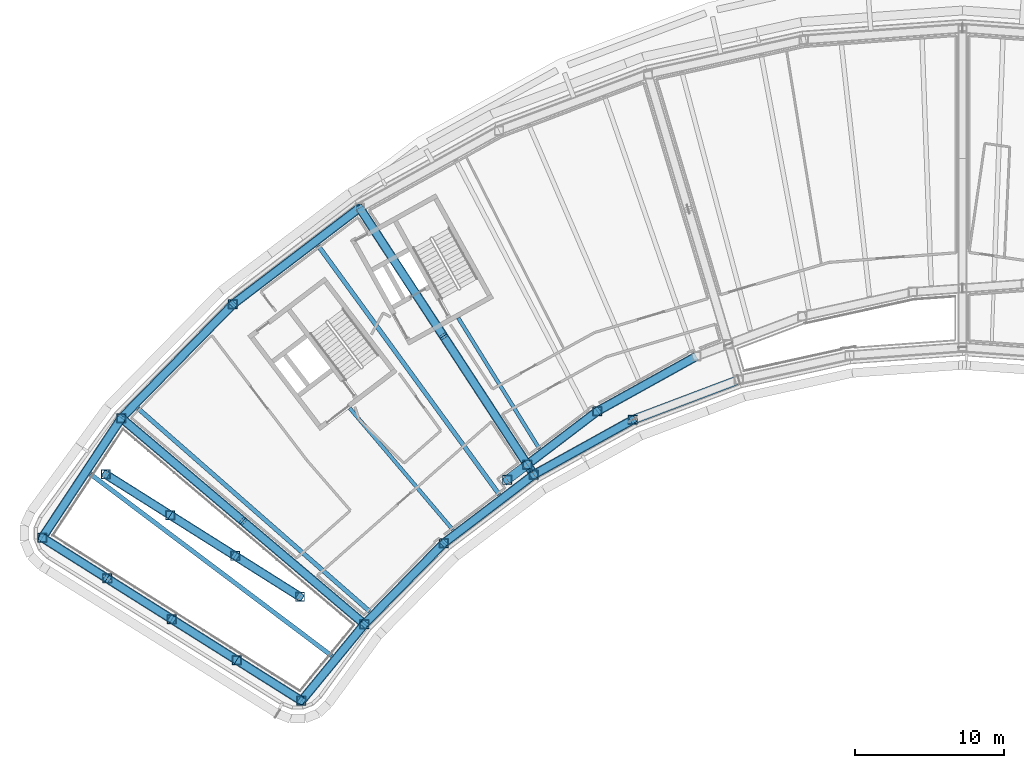
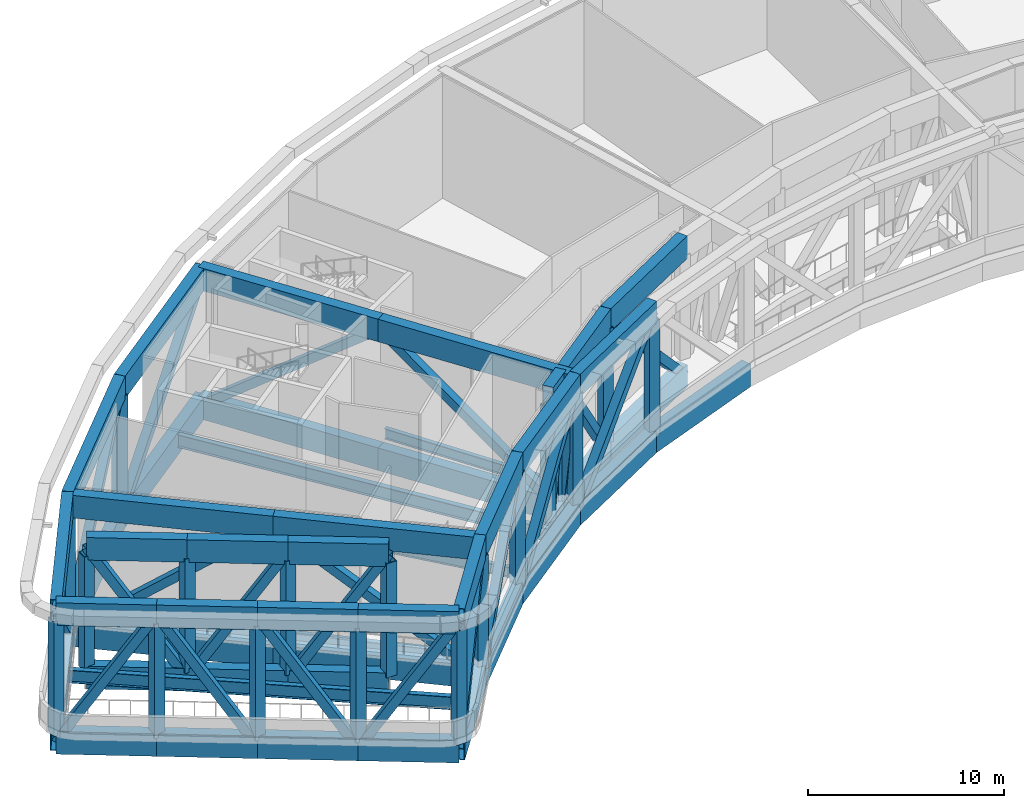
# One storey, part 1 of 24: 48 beams, 40 members.
"""IFC4 building model written with IfcOpenShell, lengths in metres."""

from ifc_helpers import new_model, si_unit, direction, frame, origin, origin_2d, place, context, subcontext, project, spatial, hollow_rectangle, i_section, extrude, material, material_profile, profile_set, type_object, element, save


model = new_model("IFC4")

# Units and contexts
model_context = context("Model", 3, precision=1e-05, world=origin(), true_north=direction((0.0, 1.0)))
body_context = subcontext(model_context, "Body", "Model", "MODEL_VIEW")
ifc_project = project(units=[si_unit("LENGTHUNIT", "METRE"), si_unit("AREAUNIT", "SQUARE_METRE"), si_unit("VOLUMEUNIT", "CUBIC_METRE"), si_unit("PLANEANGLEUNIT", "RADIAN"), si_unit("MASSUNIT", "GRAM", prefix="KILO")], contexts=[model_context])

# Site, building, storey
site_placement = place(None, origin())
site = spatial("IfcSite", under=ifc_project, at=site_placement, CompositionType="ELEMENT")
building_placement = place(site_placement, origin())
building = spatial("IfcBuilding", under=site, at=building_placement, Name="Tuul Gate Civic Tower", CompositionType="ELEMENT")
storey_placement = place(building_placement, frame((0.0, 0.0, 277.800048828125)))
storey = spatial("IfcBuildingStorey", under=building, at=storey_placement, Name="Wind floor 2", CompositionType="ELEMENT", Elevation=277.800048828125)

# Beams
ifc_material_1 = material(Name="Steel S355", Category="steel")
ifc_material_profile_1 = material_profile(ifc_material_1, i_section(OverallWidth=0.25, OverallDepth=0.64990234375, WebThickness=0.011962890625, FlangeThickness=0.02001953125, at=origin_2d()), Name="PG650x250x12x20")
ifc_profile_set_1 = profile_set([ifc_material_profile_1], Name="Steel S355")
beam_type_1 = type_object("IfcBeamType", Name="STR-FLOOR BEAM-PG650x250x12x20", PredefinedType="BEAM", material=ifc_profile_set_1)
beam_1_placement = place(storey_placement, frame((-21.568603515625, -18.93896484375, -0.72509765625), z_axis=(-0.527014457427, 0.849856318246, 0.0), x_axis=(-0.849856318246, -0.527014457427, 0.0)))
element("IfcBeam", 1, at=beam_1_placement, inside=storey, type_object=beam_type_1, Name="Floor beam", PredefinedType="BEAM", context=body_context, shape_type="SweptSolid", body=[
    extrude(i_section(OverallWidth=0.25, OverallDepth=0.64990234375, WebThickness=0.011962890625, FlangeThickness=0.02001953125, at=origin_2d()), origin(), (0.0, 0.0, 1.0), 10.32763671875),
])
beam_2_placement = place(storey_placement, frame((-27.3701171875, -24.367431640625, -0.72509765625), z_axis=(-0.646581842209, 0.76284462463, 0.0), x_axis=(-0.76284462463, -0.646581842209, 0.0)))
element("IfcBeam", 2, at=beam_2_placement, inside=storey, type_object=beam_type_1, Name="Floor beam", PredefinedType="BEAM", context=body_context, shape_type="SweptSolid", body=[
    extrude(i_section(OverallWidth=0.25, OverallDepth=0.64990234375, WebThickness=0.011962890625, FlangeThickness=0.02001953125, at=origin_2d()), origin(), (0.0, 0.0, 1.0), 10.690673828125),
])
ifc_material_2 = material(Name="Steel S355", Category="steel")
ifc_material_profile_2 = material_profile(ifc_material_2, i_section(OverallWidth=0.300048828125, OverallDepth=0.800048828125, WebThickness=0.013916015625, FlangeThickness=0.02490234375, at=origin_2d()), Name="PG800x300x14x25")
ifc_profile_set_2 = profile_set([ifc_material_profile_2], Name="Steel S355")
beam_type_2 = type_object("IfcBeamType", Name="STR-FLOOR BEAM-PG800x300x14x25", PredefinedType="BEAM", material=ifc_profile_set_2)
beam_3_placement = place(storey_placement, frame((-24.26123046875, -22.000732421875, -0.800048828125), z_axis=(-0.588409100511, 0.808563374409, 0.0), x_axis=(-0.808563374409, -0.588409100511, 0.0)))
element("IfcBeam", 3, at=beam_3_placement, inside=storey, type_object=beam_type_2, Name="Floor beam", PredefinedType="BEAM", context=body_context, shape_type="SweptSolid", body=[
    extrude(i_section(OverallWidth=0.300048828125, OverallDepth=0.800048828125, WebThickness=0.013916015625, FlangeThickness=0.02490234375, at=origin_2d()), origin(), (0.0, 0.0, 1.0), 20.604248046875),
])
beam_4_placement = place(storey_placement, frame((-32.94677734375, -29.83984375, -0.800048828125), z_axis=(-0.752023742184, 0.659136018734, 0.0), x_axis=(-0.659136018734, -0.752023742184, 0.0)))
element("IfcBeam", 4, at=beam_4_placement, inside=storey, type_object=beam_type_2, Name="Floor beam", PredefinedType="BEAM", context=body_context, shape_type="SweptSolid", body=[
    extrude(i_section(OverallWidth=0.300048828125, OverallDepth=0.800048828125, WebThickness=0.013916015625, FlangeThickness=0.02490234375, at=origin_2d()), origin(), (0.0, 0.0, 1.0), 20.632568359375),
])
beam_5_placement = place(storey_placement, frame((-35.488525390625, -32.816650390625, -0.800048828125), z_axis=(-0.79870368658, 0.601724539174, 0.0), x_axis=(-0.601724539174, -0.79870368658, 0.0)))
element("IfcBeam", 5, at=beam_5_placement, inside=storey, type_object=beam_type_2, Name="Floor beam", PredefinedType="BEAM", context=body_context, shape_type="SweptSolid", body=[
    extrude(i_section(OverallWidth=0.300048828125, OverallDepth=0.800048828125, WebThickness=0.013916015625, FlangeThickness=0.02490234375, at=origin_2d()), origin(), (0.0, 0.0, 1.0), 20.233642578125),
])
ifc_material_3 = material(Name="Steel S460", Category="steel")
ifc_material_profile_3 = material_profile(ifc_material_3, hollow_rectangle(XDim=0.60009765625, YDim=1.39990234375, WallThickness=0.031982421875, at=origin_2d()), Name="BOX1400x600x32")
ifc_profile_set_3 = profile_set([ifc_material_profile_3], Name="Steel S460")
beam_type_3 = type_object("IfcBeamType", Name="STR-TRANSFER TRUSS CHORD-BOX1400x600x32", PredefinedType="BEAM", material=ifc_profile_set_3)
for number, where, z_axis, x_axis, name in (
    (6, (-49.583984375, -16.884033203125, -1.10009765625), (0.76282315533, -0.64660717108, 0.0), (0.64660717108, 0.76282315533, 0.0), "Radial truss bottom chord"),
    (7, (-41.4384765625, -23.78857421875, -1.10009765625), (0.76282315533, -0.64660717108, 0.0), (0.64660717108, 0.76282315533, 0.0), "Radial truss bottom chord"),
    (8, (-49.583984375, -16.884033203125, 6.89990234375), (0.76282315533, -0.64660717108, 0.0), (0.64660717108, 0.76282315533, 0.0), "Radial truss top chord"),
    (9, (-41.4384765625, -23.78857421875, 6.89990234375), (0.76282315533, -0.64660717108, 0.0), (0.64660717108, 0.76282315533, 0.0), "Radial truss top chord"),
):
    element("IfcBeam", number, at=place(storey_placement, frame(where, z_axis=z_axis, x_axis=x_axis)), inside=storey, type_object=beam_type_3, Name=name, PredefinedType="BEAM", context=body_context, shape_type="SweptSolid", body=[
        extrude(hollow_rectangle(XDim=0.60009765625, YDim=1.39990234375, WallThickness=0.031982421875, at=origin_2d()), origin(), (0.0, 0.0, 1.0), 10.67822265625),
    ])
beam_6_placement = place(storey_placement, frame((-33.614013671875, -2.791015625, -1.10009765625), z_axis=(0.546751164853, -0.837295147324, 0.0), x_axis=(0.837295147324, 0.546751164853, 0.0)))
element("IfcBeam", 10, at=beam_6_placement, inside=storey, type_object=beam_type_3, Name="Radial truss bottom chord", PredefinedType="BEAM", context=body_context, shape_type="SweptSolid", body=[
    extrude(hollow_rectangle(XDim=0.60009765625, YDim=1.39990234375, WallThickness=0.031982421875, at=origin_2d()), origin(), (0.0, 0.0, 1.0), 10.274169921875),
])
beam_7_placement = place(storey_placement, frame((-27.99658203125, -11.3935546875, -1.10009765625), z_axis=(0.546733425415, -0.837306730855, 0.0), x_axis=(0.837306730855, 0.546733425415, 0.0)))
element("IfcBeam", 11, at=beam_7_placement, inside=storey, type_object=beam_type_3, Name="Radial truss bottom chord", PredefinedType="BEAM", context=body_context, shape_type="SweptSolid", body=[
    extrude(hollow_rectangle(XDim=0.60009765625, YDim=1.39990234375, WallThickness=0.031982421875, at=origin_2d()), origin(), (0.0, 0.0, 1.0), 11.08154296875),
])
beam_8_placement = place(storey_placement, frame((-33.614013671875, -2.791015625, 6.89990234375), z_axis=(0.546751164853, -0.837295147324, 0.0), x_axis=(0.837295147324, 0.546751164853, 0.0)))
element("IfcBeam", 12, at=beam_8_placement, inside=storey, type_object=beam_type_3, Name="Radial truss top chord", PredefinedType="BEAM", context=body_context, shape_type="SweptSolid", body=[
    extrude(hollow_rectangle(XDim=0.60009765625, YDim=1.39990234375, WallThickness=0.031982421875, at=origin_2d()), origin(), (0.0, 0.0, 1.0), 10.274169921875),
])
beam_9_placement = place(storey_placement, frame((-27.99658203125, -11.3935546875, 6.89990234375), z_axis=(0.546733425415, -0.837306730855, 0.0), x_axis=(0.837306730855, 0.546733425415, 0.0)))
element("IfcBeam", 13, at=beam_9_placement, inside=storey, type_object=beam_type_3, Name="Radial truss top chord", PredefinedType="BEAM", context=body_context, shape_type="SweptSolid", body=[
    extrude(hollow_rectangle(XDim=0.60009765625, YDim=1.39990234375, WallThickness=0.031982421875, at=origin_2d()), origin(), (0.0, 0.0, 1.0), 11.08154296875),
])
for number, where, z_axis, x_axis, name in (
    (14, (-42.10888671875, -9.259033203125, -1.10009765625), (-0.700052665808, -0.714091216229, 0.0), (0.714091216229, -0.700052665808, 0.0), "Belt truss bottom chord"),
    (15, (-42.10888671875, -9.259033203125, 6.89990234375), (-0.700052665808, -0.714091216229, 0.0), (0.714091216229, -0.700052665808, 0.0), "Belt truss top chord"),
):
    element("IfcBeam", number, at=place(storey_placement, frame(where, z_axis=z_axis, x_axis=x_axis)), inside=storey, type_object=beam_type_3, Name=name, PredefinedType="BEAM", context=body_context, shape_type="SweptSolid", body=[
        extrude(hollow_rectangle(XDim=0.60009765625, YDim=1.39990234375, WallThickness=0.031982421875, at=origin_2d()), origin(), (0.0, 0.0, 1.0), 10.677978515625),
    ])
for number, where, z_axis, x_axis, name in (
    (16, (-33.614013671875, -2.791015625, -1.10009765625), (-0.795624318965, -0.605790345806, 0.0), (0.605790345806, -0.795624318965, 0.0), "Belt truss bottom chord"),
    (17, (-33.614013671875, -2.791015625, 6.89990234375), (-0.795624318965, -0.605790345806, 0.0), (0.605790345806, -0.795624318965, 0.0), "Belt truss top chord"),
):
    element("IfcBeam", number, at=place(storey_placement, frame(where, z_axis=z_axis, x_axis=x_axis)), inside=storey, type_object=beam_type_3, Name=name, PredefinedType="BEAM", context=body_context, shape_type="SweptSolid", body=[
        extrude(hollow_rectangle(XDim=0.60009765625, YDim=1.39990234375, WallThickness=0.031982421875, at=origin_2d()), origin(), (0.0, 0.0, 1.0), 10.677001953125),
    ])
for number, where, z_axis, x_axis, name in (
    (18, (-49.583984375, -16.884033203125, -1.10009765625), (-0.551605665118, -0.834105023489, 0.0), (0.834105023489, -0.551605665118, 0.0), "Belt truss bottom chord"),
    (19, (-49.583984375, -16.884033203125, 6.89990234375), (-0.551605665118, -0.834105023489, 0.0), (0.834105023489, -0.551605665118, 0.0), "Belt truss top chord"),
):
    element("IfcBeam", number, at=place(storey_placement, frame(where, z_axis=z_axis, x_axis=x_axis)), inside=storey, type_object=beam_type_3, Name=name, PredefinedType="BEAM", context=body_context, shape_type="SweptSolid", body=[
        extrude(hollow_rectangle(XDim=0.60009765625, YDim=1.39990234375, WallThickness=0.031982421875, at=origin_2d()), origin(), (0.0, 0.0, 1.0), 9.606689453125),
    ])
for number, where, z_axis, x_axis, name in (
    (20, (-27.97900390625, -25.27099609375, -1.10009765625), (0.795673036057, 0.605726357105, 0.0), (-0.605726357105, 0.795673036057, 0.0), "Belt truss bottom chord"),
    (21, (-27.97900390625, -25.27099609375, 6.89990234375), (0.795673036057, 0.605726357105, 0.0), (-0.605726357105, 0.795673036057, 0.0), "Belt truss top chord"),
):
    element("IfcBeam", number, at=place(storey_placement, frame(where, z_axis=z_axis, x_axis=x_axis)), inside=storey, type_object=beam_type_3, Name=name, PredefinedType="BEAM", context=body_context, shape_type="SweptSolid", body=[
        extrude(hollow_rectangle(XDim=0.60009765625, YDim=1.39990234375, WallThickness=0.031982421875, at=origin_2d()), origin(), (0.0, 0.0, 1.0), 7.59228515625),
    ])
for number, where, z_axis, x_axis, name in (
    (22, (-17.696044921875, -16.429931640625, -1.10009765625), (0.874607402054, 0.484831818544, 0.0), (-0.484831818544, 0.874607402054, 0.0), "Belt truss bottom chord"),
    (23, (-17.696044921875, -16.429931640625, 6.89990234375), (0.874607402054, 0.484831818544, 0.0), (-0.484831818544, 0.874607402054, 0.0), "Belt truss top chord"),
    (24, (-33.29296875, -30.693115234375, -1.10009765625), (0.699947938495, 0.714193869615, 0.0), (-0.714193869615, 0.699947938495, 0.0), "Belt truss bottom chord"),
    (25, (-33.29296875, -30.693115234375, 6.89990234375), (0.699947938495, 0.714193869615, 0.0), (-0.714193869615, 0.699947938495, 0.0), "Belt truss top chord"),
):
    element("IfcBeam", number, at=place(storey_placement, frame(where, z_axis=z_axis, x_axis=x_axis)), inside=storey, type_object=beam_type_3, Name=name, PredefinedType="BEAM", context=body_context, shape_type="SweptSolid", body=[
        extrude(hollow_rectangle(XDim=0.60009765625, YDim=1.39990234375, WallThickness=0.031982421875, at=origin_2d()), origin(), (0.0, 0.0, 1.0), 7.592041015625),
    ])
beam_10_placement = place(storey_placement, frame((-23.736083984375, -21.029052734375, -1.10009765625), z_axis=(0.795619228642, 0.605797031203, 0.0), x_axis=(-0.605797031203, 0.795619228642, 0.0)))
element("IfcBeam", 26, at=beam_10_placement, inside=storey, type_object=beam_type_3, Name="Belt truss bottom chord", PredefinedType="BEAM", context=body_context, shape_type="SweptSolid", body=[
    extrude(hollow_rectangle(XDim=0.60009765625, YDim=1.39990234375, WallThickness=0.031982421875, at=origin_2d()), origin(), (0.0, 0.0, 1.0), 1.404541015625),
])
beam_11_placement = place(storey_placement, frame((-22.14013671875, -19.813720703125, -1.10009765625), z_axis=(0.79562031028, 0.60579561064, 0.0), x_axis=(-0.60579561064, 0.79562031028, 0.0)))
element("IfcBeam", 27, at=beam_11_placement, inside=storey, type_object=beam_type_3, Name="Belt truss bottom chord", PredefinedType="BEAM", context=body_context, shape_type="SweptSolid", body=[
    extrude(hollow_rectangle(XDim=0.60009765625, YDim=1.39990234375, WallThickness=0.031982421875, at=origin_2d()), origin(), (0.0, 0.0, 1.0), 5.585693359375),
])
beam_12_placement = place(storey_placement, frame((-23.736083984375, -21.029052734375, 6.89990234375), z_axis=(0.79563216478, 0.605780041242, 0.0), x_axis=(-0.605780041242, 0.79563216478, 0.0)))
element("IfcBeam", 28, at=beam_12_placement, inside=storey, type_object=beam_type_3, Name="Belt truss top chord", PredefinedType="BEAM", context=body_context, shape_type="SweptSolid", body=[
    extrude(hollow_rectangle(XDim=0.60009765625, YDim=1.39990234375, WallThickness=0.031982421875, at=origin_2d()), origin(), (0.0, 0.0, 1.0), 1.705078125),
])
beam_13_placement = place(storey_placement, frame((-22.14013671875, -19.813720703125, 6.89990234375), z_axis=(0.79562031028, 0.60579561064, 0.0), x_axis=(-0.60579561064, 0.79562031028, 0.0)))
element("IfcBeam", 29, at=beam_13_placement, inside=storey, type_object=beam_type_3, Name="Belt truss top chord", PredefinedType="BEAM", context=body_context, shape_type="SweptSolid", body=[
    extrude(hollow_rectangle(XDim=0.60009765625, YDim=1.39990234375, WallThickness=0.031982421875, at=origin_2d()), origin(), (0.0, 0.0, 1.0), 5.585693359375),
])
for number, where, z_axis, x_axis, name in (
    (30, (-21.93798828125, -20.672119140625, -1.10009765625), (0.874640750969, 0.48477165423, 0.0), (-0.48477165423, 0.874640750969, 0.0), "Belt truss bottom chord"),
    (31, (-21.93798828125, -20.672119140625, 6.89990234375), (0.874640750969, 0.48477165423, 0.0), (-0.48477165423, 0.874640750969, 0.0), "Belt truss top chord"),
):
    element("IfcBeam", number, at=place(storey_placement, frame(where, z_axis=z_axis, x_axis=x_axis)), inside=storey, type_object=beam_type_3, Name=name, PredefinedType="BEAM", context=body_context, shape_type="SweptSolid", body=[
        extrude(hollow_rectangle(XDim=0.60009765625, YDim=1.39990234375, WallThickness=0.031982421875, at=origin_2d()), origin(), (0.0, 0.0, 1.0), 7.591552734375),
    ])
beam_14_placement = place(storey_placement, frame((-15.298095703125, -16.991943359375, -1.10009765625), z_axis=(0.935350115118, 0.353723284714, 0.0), x_axis=(-0.353723284714, 0.935350115118, 0.0)))
element("IfcBeam", 32, at=beam_14_placement, inside=storey, type_object=beam_type_3, Name="Belt truss bottom chord", PredefinedType="BEAM", context=body_context, shape_type="SweptSolid", body=[
    extrude(hollow_rectangle(XDim=0.60009765625, YDim=1.39990234375, WallThickness=0.031982421875, at=origin_2d()), origin(), (0.0, 0.0, 1.0), 7.5908203125),
])
for number, where, z_axis, x_axis, name in (
    (33, (-37.512939453125, -35.8349609375, -1.10009765625), (0.634408284955, 0.772998142288, 0.0), (-0.772998142288, 0.634408284955, 0.0), "Belt truss bottom chord"),
    (34, (-37.512939453125, -35.8349609375, 6.89990234375), (0.634408284955, 0.772998142288, 0.0), (-0.772998142288, 0.634408284955, 0.0), "Belt truss top chord"),
):
    element("IfcBeam", number, at=place(storey_placement, frame(where, z_axis=z_axis, x_axis=x_axis)), inside=storey, type_object=beam_type_3, Name=name, PredefinedType="BEAM", context=body_context, shape_type="SweptSolid", body=[
        extrude(hollow_rectangle(XDim=0.60009765625, YDim=1.39990234375, WallThickness=0.031982421875, at=origin_2d()), origin(), (0.0, 0.0, 1.0), 6.65185546875),
    ])
for number, where, z_axis, x_axis, name in (
    (35, (-54.883056640625, -24.89697265625, -1.10009765625), (0.846264615796, -0.53276279905, 0.0), (0.53276279905, 0.846264615796, 0.0), "Belt truss bottom chord"),
    (36, (-54.883056640625, -24.89697265625, 6.89990234375), (0.846264615796, -0.53276279905, 0.0), (0.53276279905, 0.846264615796, 0.0), "Belt truss top chord"),
    (37, (-46.197998046875, -30.365966796875, -1.10009765625), (0.846264615796, -0.53276279905, 0.0), (0.53276279905, 0.846264615796, 0.0), "Belt truss bottom chord"),
    (38, (-46.197998046875, -30.365966796875, 6.89990234375), (0.846264615796, -0.53276279905, 0.0), (0.53276279905, 0.846264615796, 0.0), "Belt truss top chord"),
    (39, (-46.298095703125, -23.388916015625, -1.10009765625), (0.846264615796, -0.53276279905, 0.0), (0.53276279905, 0.846264615796, 0.0), "Belt truss bottom chord"),
    (40, (-46.298095703125, -23.388916015625, 6.89990234375), (0.846264615796, -0.53276279905, 0.0), (0.53276279905, 0.846264615796, 0.0), "Belt truss top chord"),
):
    element("IfcBeam", number, at=place(storey_placement, frame(where, z_axis=z_axis, x_axis=x_axis)), inside=storey, type_object=beam_type_3, Name=name, PredefinedType="BEAM", context=body_context, shape_type="SweptSolid", body=[
        extrude(hollow_rectangle(XDim=0.60009765625, YDim=1.39990234375, WallThickness=0.031982421875, at=origin_2d()), origin(), (0.0, 0.0, 1.0), 5.132080078125),
    ])
for number, where, z_axis, x_axis, name in (
    (41, (-50.5400390625, -27.631103515625, -1.10009765625), (0.846146228652, -0.532950804237, 0.0), (0.532950804237, 0.846146228652, 0.0), "Belt truss bottom chord"),
    (42, (-50.5400390625, -27.631103515625, 6.89990234375), (0.846146228652, -0.532950804237, 0.0), (0.532950804237, 0.846146228652, 0.0), "Belt truss top chord"),
    (43, (-41.85498046875, -33.10009765625, -1.10009765625), (0.846146228652, -0.532950804237, 0.0), (0.532950804237, 0.846146228652, 0.0), "Belt truss bottom chord"),
    (44, (-41.85498046875, -33.10009765625, 6.89990234375), (0.846146228652, -0.532950804237, 0.0), (0.532950804237, 0.846146228652, 0.0), "Belt truss top chord"),
):
    element("IfcBeam", number, at=place(storey_placement, frame(where, z_axis=z_axis, x_axis=x_axis)), inside=storey, type_object=beam_type_3, Name=name, PredefinedType="BEAM", context=body_context, shape_type="SweptSolid", body=[
        extrude(hollow_rectangle(XDim=0.60009765625, YDim=1.39990234375, WallThickness=0.031982421875, at=origin_2d()), origin(), (0.0, 0.0, 1.0), 5.131591796875),
    ])
for number, where, z_axis, x_axis, name in (
    (45, (-50.639892578125, -20.654052734375, -1.10009765625), (0.8461327144, -0.532972259712, 0.0), (0.532972259712, 0.8461327144, 0.0), "Belt truss bottom chord"),
    (46, (-50.639892578125, -20.654052734375, 6.89990234375), (0.8461327144, -0.532972259712, 0.0), (0.532972259712, 0.8461327144, 0.0), "Belt truss top chord"),
):
    element("IfcBeam", number, at=place(storey_placement, frame(where, z_axis=z_axis, x_axis=x_axis)), inside=storey, type_object=beam_type_3, Name=name, PredefinedType="BEAM", context=body_context, shape_type="SweptSolid", body=[
        extrude(hollow_rectangle(XDim=0.60009765625, YDim=1.39990234375, WallThickness=0.031982421875, at=origin_2d()), origin(), (0.0, 0.0, 1.0), 5.13134765625),
    ])
for number, where, z_axis, x_axis, name in (
    (47, (-41.955078125, -26.123046875, -1.10009765625), (0.846146228652, -0.532950804237, 0.0), (0.532950804237, 0.846146228652, 0.0), "Belt truss bottom chord"),
    (48, (-41.955078125, -26.123046875, 6.89990234375), (0.846146228652, -0.532950804237, 0.0), (0.532950804237, 0.846146228652, 0.0), "Belt truss top chord"),
):
    element("IfcBeam", number, at=place(storey_placement, frame(where, z_axis=z_axis, x_axis=x_axis)), inside=storey, type_object=beam_type_3, Name=name, PredefinedType="BEAM", context=body_context, shape_type="SweptSolid", body=[
        extrude(hollow_rectangle(XDim=0.60009765625, YDim=1.39990234375, WallThickness=0.031982421875, at=origin_2d()), origin(), (0.0, 0.0, 1.0), 5.131591796875),
    ])

# Members
ifc_material_4 = material(Name="Steel S355", Category="steel")
ifc_material_profile_4 = material_profile(ifc_material_4, hollow_rectangle(XDim=0.5, YDim=0.5, WallThickness=0.02001953125, at=origin_2d()), Name="BOX500x500x20")
ifc_profile_set_4 = profile_set([ifc_material_profile_4], Name="Steel S355")
member_type_1 = type_object("IfcMemberType", Name="STR-TRANSFER TRUSS DIAGONAL-BOX500x500x20", PredefinedType="BRACE", material=ifc_profile_set_4)
for number, where, z_axis, x_axis, name in (
    (49, (-49.587158203125, -16.88134765625, -1.10302734375), (0.610498732707, -0.517485852619, 0.599582929795), (0.646604628464, 0.762825310572, 0.0), "Radial truss web"),
    (50, (-33.2900390625, -30.695556640625, -1.10302734375), (-0.610498732707, 0.517485852619, 0.599582929795), (-0.646604628464, -0.762825310572, 0.0), "Radial truss web"),
):
    element("IfcMember", number, at=place(storey_placement, frame(where, z_axis=z_axis, x_axis=x_axis)), inside=storey, type_object=member_type_1, Name=name, PredefinedType="BRACE", context=body_context, shape_type="SweptSolid", body=[
        extrude(hollow_rectangle(XDim=0.5, YDim=0.5, WallThickness=0.02001953125, at=origin_2d()), origin(), (0.0, 0.0, 1.0), 13.352294921875),
    ])
for number, where, z_axis, x_axis, name in (
    (51, (-33.6162109375, -2.78759765625, -1.10302734375), (0.431387895225, -0.660645850313, 0.614370852432), (0.837302005354, 0.546740662317, 0.0), "Radial truss web"),
    (52, (-22.377197265625, -19.999267578125, -1.10302734375), (-0.431387895225, 0.660645850313, 0.614370852432), (-0.837302005354, -0.546740662317, 0.0), "Radial truss web"),
):
    element("IfcMember", number, at=place(storey_placement, frame(where, z_axis=z_axis, x_axis=x_axis)), inside=storey, type_object=member_type_1, Name=name, PredefinedType="BRACE", context=body_context, shape_type="SweptSolid", body=[
        extrude(hollow_rectangle(XDim=0.5, YDim=0.5, WallThickness=0.02001953125, at=origin_2d()), origin(), (0.0, 0.0, 1.0), 13.031494140625),
    ])
member_1_placement = place(storey_placement, frame((-22.379638671875, -19.99560546875, -1.10498046875), z_axis=(0.054889060165, -0.08406214076, 0.994947610463), x_axis=(0.837310012692, 0.546728399341, 0.0)))
element("IfcMember", 53, at=member_1_placement, inside=storey, type_object=member_type_1, Name="Radial truss web", PredefinedType="BRACE", context=body_context, shape_type="SweptSolid", body=[
    extrude(hollow_rectangle(XDim=0.5, YDim=0.5, WallThickness=0.02001953125, at=origin_2d()), origin(), (0.0, 0.0, 1.0), 8.05078125),
])
member_2_placement = place(storey_placement, frame((-49.5869140625, -16.886962890625, -1.10302734375), z_axis=(0.560255010508, 0.571499970903, 0.599584945157), x_axis=(-0.714097248562, 0.700046512452, 0.0)))
element("IfcMember", 54, at=member_2_placement, inside=storey, type_object=member_type_1, Name="Belt truss web", PredefinedType="BRACE", context=body_context, shape_type="SweptSolid", body=[
    extrude(hollow_rectangle(XDim=0.5, YDim=0.5, WallThickness=0.02001953125, at=origin_2d()), origin(), (0.0, 0.0, 1.0), 13.352294921875),
])
member_3_placement = place(storey_placement, frame((-42.1123046875, -9.261474609375, -1.10302734375), z_axis=(0.636734129395, 0.484800757356, 0.599614771441), x_axis=(-0.605782277051, 0.79563046247, 0.0)))
element("IfcMember", 55, at=member_3_placement, inside=storey, type_object=member_type_1, Name="Belt truss web", PredefinedType="BRACE", context=body_context, shape_type="SweptSolid", body=[
    extrude(hollow_rectangle(XDim=0.5, YDim=0.5, WallThickness=0.02001953125, at=origin_2d()), origin(), (0.0, 0.0, 1.0), 13.3515625),
])
member_4_placement = place(storey_placement, frame((-49.581787109375, -16.880859375, -1.103271484375), z_axis=(-0.423871771151, -0.640959214944, 0.639925000605), x_axis=(0.834107292134, -0.551602234594, 0.0)))
element("IfcMember", 56, at=member_4_placement, inside=storey, type_object=member_type_1, Name="Belt truss web", PredefinedType="BRACE", context=body_context, shape_type="SweptSolid", body=[
    extrude(hollow_rectangle(XDim=0.5, YDim=0.5, WallThickness=0.02001953125, at=origin_2d()), origin(), (0.0, 0.0, 1.0), 12.511474609375),
])
member_5_placement = place(storey_placement, frame((-27.981689453125, -25.273193359375, -1.103759765625), z_axis=(0.547714690614, 0.416989440828, 0.725347105821), x_axis=(-0.605751820462, 0.795653650785, 0.0)))
element("IfcMember", 57, at=member_5_placement, inside=storey, type_object=member_type_1, Name="Belt truss web", PredefinedType="BRACE", context=body_context, shape_type="SweptSolid", body=[
    extrude(hollow_rectangle(XDim=0.5, YDim=0.5, WallThickness=0.02001953125, at=origin_2d()), origin(), (0.0, 0.0, 1.0), 11.039306640625),
])
for number, where, z_axis, x_axis, name in (
    (58, (-11.052978515625, -12.747314453125, -1.103759765625), (-0.602043861145, -0.333753725242, 0.72536310917), (0.484848918238, -0.874597922753, 0.0), "Belt truss web"),
    (59, (-33.29541015625, -30.695556640625, -1.103759765625), (0.481822905813, 0.491620369655, 0.725366183092), (-0.714187462229, 0.69995447623, 0.0), "Belt truss web"),
):
    element("IfcMember", number, at=place(storey_placement, frame(where, z_axis=z_axis, x_axis=x_axis)), inside=storey, type_object=member_type_1, Name=name, PredefinedType="BRACE", context=body_context, shape_type="SweptSolid", body=[
        extrude(hollow_rectangle(XDim=0.5, YDim=0.5, WallThickness=0.02001953125, at=origin_2d()), origin(), (0.0, 0.0, 1.0), 11.0390625),
    ])
member_6_placement = place(storey_placement, frame((-23.73681640625, -21.029541015625, -1.10498046875), z_axis=(0.165837782581, 0.126278778899, 0.978034508526), x_axis=(-0.60581912474, 0.79560240579, 0.0)))
element("IfcMember", 60, at=member_6_placement, inside=storey, type_object=member_type_1, Name="Belt truss web", PredefinedType="BRACE", context=body_context, shape_type="SweptSolid", body=[
    extrude(hollow_rectangle(XDim=0.5, YDim=0.5, WallThickness=0.02001953125, at=origin_2d()), origin(), (0.0, 0.0, 1.0), 8.189697265625),
])
member_7_placement = place(storey_placement, frame((-17.693603515625, -16.42822265625, -1.10400390625), z_axis=(-0.471541506305, -0.359027670868, 0.805448781353), x_axis=(0.605784779932, -0.795628556804, 0.0)))
element("IfcMember", 61, at=member_7_placement, inside=storey, type_object=member_type_1, Name="Belt truss web", PredefinedType="BRACE", context=body_context, shape_type="SweptSolid", body=[
    extrude(hollow_rectangle(XDim=0.5, YDim=0.5, WallThickness=0.02001953125, at=origin_2d()), origin(), (0.0, 0.0, 1.0), 9.9423828125),
])
member_8_placement = place(storey_placement, frame((-21.94091796875, -20.673583984375, -1.103759765625), z_axis=(0.602061635098, 0.333675111627, 0.725384523838), x_axis=(-0.484750606386, 0.874652416454, 0.0)))
element("IfcMember", 62, at=member_8_placement, inside=storey, type_object=member_type_1, Name="Belt truss web", PredefinedType="BRACE", context=body_context, shape_type="SweptSolid", body=[
    extrude(hollow_rectangle(XDim=0.5, YDim=0.5, WallThickness=0.02001953125, at=origin_2d()), origin(), (0.0, 0.0, 1.0), 11.038818359375),
])
member_9_placement = place(storey_placement, frame((-37.51513671875, -35.83740234375, -1.10400390625), z_axis=(0.405604145782, 0.494217235082, 0.76891781191), x_axis=(-0.77300236669, 0.634403137675, 0.0)))
element("IfcMember", 63, at=member_9_placement, inside=storey, type_object=member_type_1, Name="Belt truss web", PredefinedType="BRACE", context=body_context, shape_type="SweptSolid", body=[
    extrude(hollow_rectangle(XDim=0.5, YDim=0.5, WallThickness=0.02001953125, at=origin_2d()), origin(), (0.0, 0.0, 1.0), 10.414306640625),
])
for number, where, z_axis, x_axis, name in (
    (64, (-54.88525390625, -24.8955078125, -1.104248046875), (0.456951963415, -0.28764777122, 0.841696894876), (0.53273007895, 0.846285213732, 0.0), "Belt truss web"),
    (65, (-41.852783203125, -33.101318359375, -1.104248046875), (-0.456931661055, 0.287651143956, 0.841706763966), (-0.532751504875, -0.846271725897, 0.0), "Belt truss web"),
):
    element("IfcMember", number, at=place(storey_placement, frame(where, z_axis=z_axis, x_axis=x_axis)), inside=storey, type_object=member_type_1, Name=name, PredefinedType="BRACE", context=body_context, shape_type="SweptSolid", body=[
        extrude(hollow_rectangle(XDim=0.5, YDim=0.5, WallThickness=0.02001953125, at=origin_2d()), origin(), (0.0, 0.0, 1.0), 9.514404296875),
    ])
member_10_placement = place(storey_placement, frame((-46.30029296875, -23.387451171875, -1.104248046875), z_axis=(0.45694859053, -0.287671307751, 0.841690682085), x_axis=(0.532764113391, 0.846263788356, 0.0)))
element("IfcMember", 66, at=member_10_placement, inside=storey, type_object=member_type_1, Name="Belt truss web", PredefinedType="BRACE", context=body_context, shape_type="SweptSolid", body=[
    extrude(hollow_rectangle(XDim=0.5, YDim=0.5, WallThickness=0.02001953125, at=origin_2d()), origin(), (0.0, 0.0, 1.0), 9.5146484375),
])
for number, where, z_axis, x_axis, name in (
    (67, (-46.19580078125, -30.367431640625, -1.104248046875), (-0.456836952994, 0.287758781715, 0.841721380223), (-0.532973350316, -0.846132027436, 0.0), "Belt truss web"),
    (68, (-41.857177734375, -33.0986328125, -1.104248046875), (0.456836952994, -0.287758781715, 0.841721380223), (0.532973350316, 0.846132027436, 0.0), "Belt truss web"),
):
    element("IfcMember", number, at=place(storey_placement, frame(where, z_axis=z_axis, x_axis=x_axis)), inside=storey, type_object=member_type_1, Name=name, PredefinedType="BRACE", context=body_context, shape_type="SweptSolid", body=[
        extrude(hollow_rectangle(XDim=0.5, YDim=0.5, WallThickness=0.02001953125, at=origin_2d()), origin(), (0.0, 0.0, 1.0), 9.51416015625),
    ])
for number, where, z_axis, x_axis, name in (
    (69, (-46.295654296875, -23.390380859375, -1.104248046875), (-0.456857257927, 0.287755408357, 0.841711512836), (-0.53295191773, -0.846145527311, 0.0), "Belt truss web"),
    (70, (-41.957275390625, -26.12158203125, -1.104248046875), (0.456857257927, -0.287755408357, 0.841711512836), (0.53295191773, 0.846145527311, 0.0), "Belt truss web"),
):
    element("IfcMember", number, at=place(storey_placement, frame(where, z_axis=z_axis, x_axis=x_axis)), inside=storey, type_object=member_type_1, Name=name, PredefinedType="BRACE", context=body_context, shape_type="SweptSolid", body=[
        extrude(hollow_rectangle(XDim=0.5, YDim=0.5, WallThickness=0.02001953125, at=origin_2d()), origin(), (0.0, 0.0, 1.0), 9.514404296875),
    ])
ifc_material_5 = material(Name="Steel S355", Category="steel")
ifc_material_profile_5 = material_profile(ifc_material_5, hollow_rectangle(XDim=0.60009765625, YDim=0.60009765625, WallThickness=0.028076171875, at=origin_2d()), Name="BOX600x600x28")
ifc_profile_set_5 = profile_set([ifc_material_profile_5], Name="Steel S355")
member_type_2 = type_object("IfcMemberType", Name="STR-TRUSS POST-BOX600x600x28", PredefinedType="POST", material=ifc_profile_set_5)
for number, where, z_axis, x_axis, name in (
    (71, (-49.583984375, -16.884033203125, -0.64501953125), (0.0, 0.0, 1.0), (1.0, 0.0, 0.0), "Radial truss post"),
    (72, (-33.29296875, -30.693115234375, -0.64501953125), (0.0, 0.0, 1.0), (1.0, 0.0, 0.0), "Radial truss post"),
    (73, (-22.37939453125, -19.99609375, -0.64501953125), (0.0, 0.0, 1.0), (1.0, 0.0, 0.0), "Radial truss post"),
    (74, (-21.93798828125, -20.672119140625, -0.64501953125), (0.0, 0.0, 1.0), (1.0, 0.0, 0.0), "Radial truss post"),
    (75, (-42.10888671875, -9.259033203125, -0.64501953125), (0.0, 0.0, 1.0), (1.0, 0.0, 0.0), "Belt truss post"),
    (76, (-54.883056640625, -24.89697265625, -0.64501953125), (0.0, 0.0, 1.0), (1.0, 0.0, 0.0), "Belt truss post"),
    (77, (-27.97900390625, -25.27099609375, -0.64501953125), (0.0, 0.0, 1.0), (1.0, 0.0, 0.0), "Belt truss post"),
    (78, (-17.696044921875, -16.429931640625, -0.64501953125), (0.0, 0.0, 1.0), (1.0, 0.0, 0.0), "Belt truss post"),
    (79, (-23.736083984375, -21.029052734375, -0.64501953125), (0.0, 0.0, 1.0), (1.0, 0.0, 0.0), "Belt truss post"),
    (80, (-15.298095703125, -16.991943359375, -0.64501953125), (0.0, 0.0, 1.0), (1.0, 0.0, 0.0), "Belt truss post"),
    (81, (-37.512939453125, -35.8349609375, -0.64501953125), (0.0, 0.0, 1.0), (1.0, 0.0, 0.0), "Belt truss post"),
    (82, (-50.5400390625, -27.631103515625, -0.64501953125), (0.0, 0.0, 1.0), (1.0, 0.0, 0.0), "Belt truss post"),
    (83, (-46.197998046875, -30.365966796875, -0.64501953125), (0.0, 0.0, 1.0), (1.0, 0.0, 0.0), "Belt truss post"),
    (84, (-41.85498046875, -33.10009765625, -0.64501953125), (0.0, 0.0, 1.0), (1.0, 0.0, 0.0), "Belt truss post"),
    (85, (-46.298095703125, -23.388916015625, -0.64501953125), (0.0, 0.0, 1.0), (1.0, 0.0, 0.0), "Belt truss post"),
    (86, (-41.955078125, -26.123046875, -0.64501953125), (0.0, 0.0, 1.0), (1.0, 0.0, 0.0), "Belt truss post"),
    (87, (-50.639892578125, -20.654052734375, -0.64501953125), (0.0, 0.0, 1.0), (1.0, 0.0, 0.0), "Belt truss post"),
    (88, (-37.613037109375, -28.85791015625, -0.64501953125), (0.0, 0.0, 1.0), (1.0, 0.0, 0.0), "Belt truss post"),
):
    element("IfcMember", number, at=place(storey_placement, frame(where, z_axis=z_axis, x_axis=x_axis)), inside=storey, type_object=member_type_2, Name=name, PredefinedType="POST", context=body_context, shape_type="SweptSolid", body=[
        extrude(hollow_rectangle(XDim=0.60009765625, YDim=0.60009765625, WallThickness=0.028076171875, at=origin_2d()), origin(), (0.0, 0.0, 1.0), 7.090087890625),
    ])

save(model, "model.ifc")
